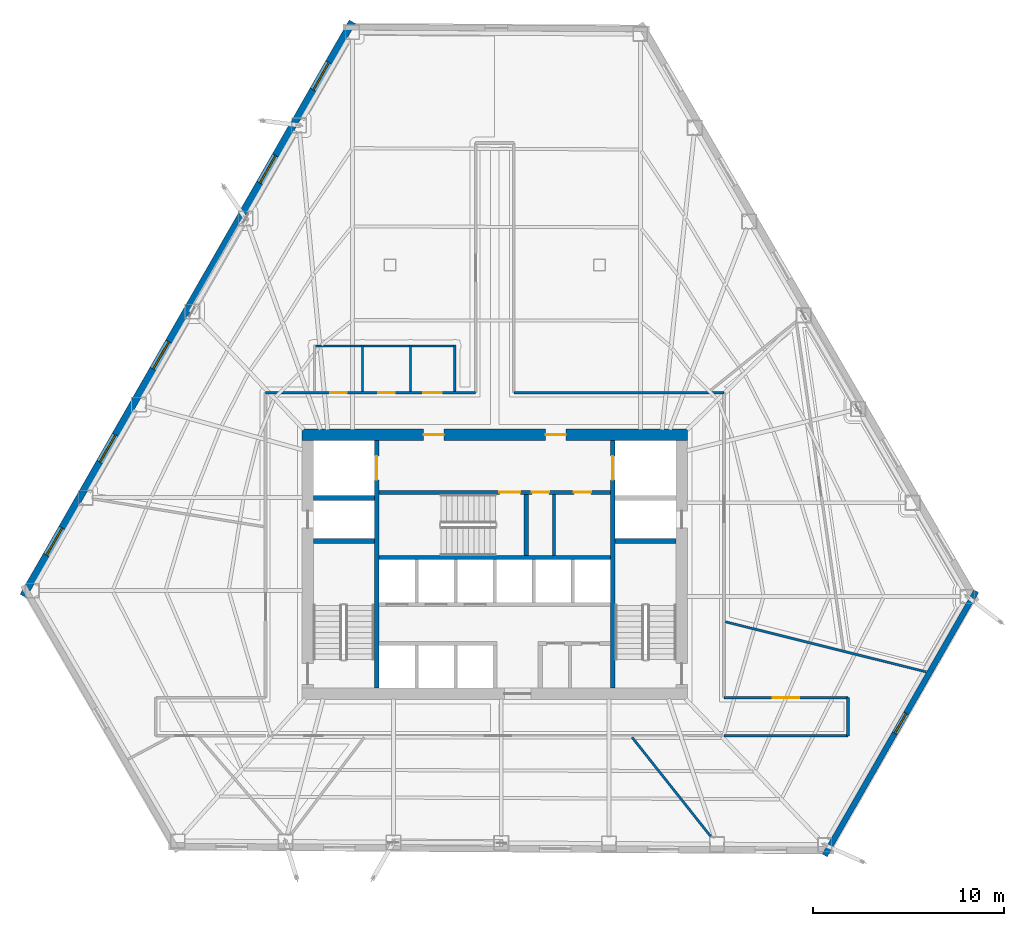
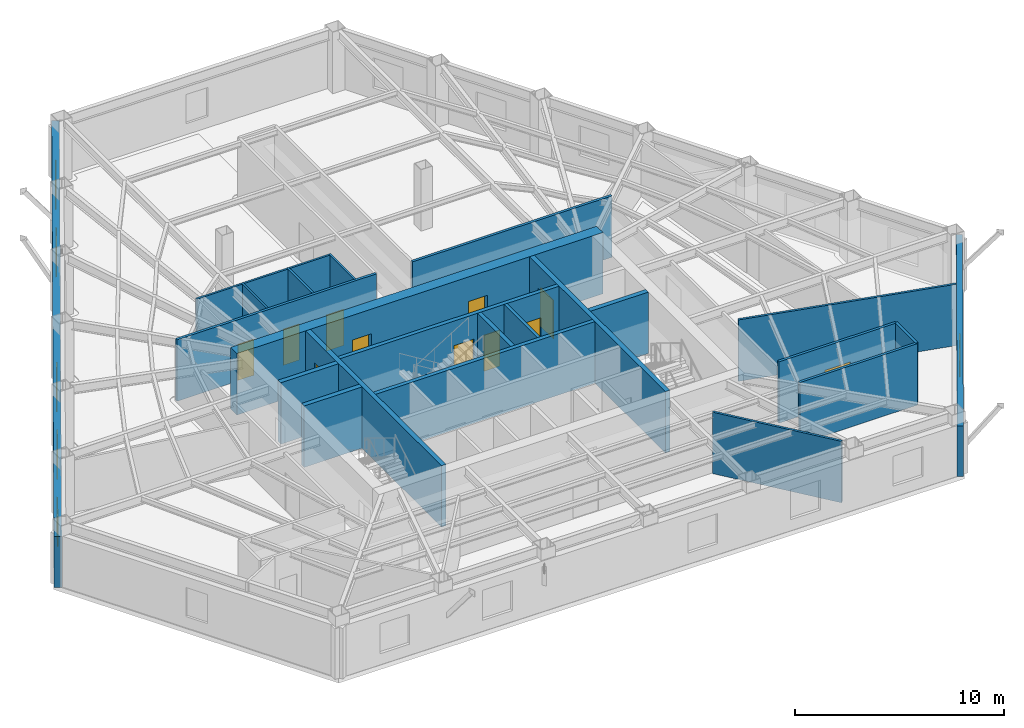
# One storey, part 8 of 12: 23 walls, 11 doors, 6 windows, 17 openings.
"""IFC4 building model written with IfcOpenShell, lengths in metres."""

from ifc_helpers import new_model, si_unit, direction, frame, frame_2d, origin, place, context, subcontext, project, spatial, rectangle, extrude, material, layer, layer_set, type_object, element, fill, save


model = new_model("IFC4")

# Units and contexts
model_context = context("Model", 3, precision=1e-05, world=origin(), true_north=direction((0.0, 1.0)))
body_context = subcontext(model_context, "Body", "Model", "MODEL_VIEW")
ifc_project = project(units=[si_unit("LENGTHUNIT", "METRE"), si_unit("AREAUNIT", "SQUARE_METRE"), si_unit("VOLUMEUNIT", "CUBIC_METRE"), si_unit("PLANEANGLEUNIT", "RADIAN"), si_unit("MASSUNIT", "GRAM", prefix="KILO")], contexts=[model_context])

# Site, building, storey
site_placement = place(None, origin())
site = spatial("IfcSite", under=ifc_project, at=site_placement, CompositionType="ELEMENT")
building_placement = place(site_placement, origin())
building = spatial("IfcBuilding", under=site, at=building_placement, Name="Kavelnor Concourse Tower", CompositionType="ELEMENT")
storey_placement = place(building_placement, frame((0.0, 0.0, 44.5)))
storey = spatial("IfcBuildingStorey", under=building, at=storey_placement, Name="L11", CompositionType="ELEMENT", Elevation=44.5)

# Wall, openings, doors
ifc_material_1 = material(Name="Concrete C60/75", Category="concrete")
ifc_layer_1 = layer(ifc_material_1, 0.60009765625, Name="Concrete C60/75")
ifc_layer_set_1 = layer_set([ifc_layer_1], Name="Concrete C60/75")
wall_type_1 = type_object("IfcWallType", Name="WL-CORE-Z1-600", PredefinedType="SOLIDWALL", material=ifc_layer_set_1)
wall_1_placement = place(storey_placement, frame((27.8798828125, 22.89990234375, 0.0), z_axis=(0.0, 0.0, 1.0), x_axis=(1.0, 0.0, 0.0)))
wall_1 = element("IfcWall", 1, at=wall_1_placement, inside=storey, type_object=wall_type_1, Name="L11 Central Core North Shear Wall", PredefinedType="SOLIDWALL", context=body_context, shape_type="SweptSolid", body=[
    extrude(rectangle(XDim=20.240234375, YDim=0.60009765625, at=frame_2d((10.1201171875, 0.0))), origin(), (0.0, 0.0, 1.0), 3.590087890625),
])
opening_1_placement = place(wall_1_placement, frame((6.39501953125, 0.0, 0.0)))
opening_1 = element("IfcOpeningElement", 2, at=opening_1_placement, cuts=wall_1, Name="Opening FD-105", PredefinedType="OPENING", context=body_context, shape_type="SweptSolid", body=[
    extrude(rectangle(XDim=1.050048828125, YDim=2.14990234375, at=frame_2d((0.52490234375, 1.074951171875))), frame((0.0, 0.31005859375, 0.0), z_axis=(0.0, -1.0, 0.0), x_axis=(1.0, 0.0, 0.0)), (0.0, 0.0, 1.0), 0.6201171875),
])
opening_2_placement = place(wall_1_placement, frame((12.794921875, 0.0, 0.0)))
opening_2 = element("IfcOpeningElement", 3, at=opening_2_placement, cuts=wall_1, Name="Opening FD-105", PredefinedType="OPENING", context=body_context, shape_type="SweptSolid", body=[
    extrude(rectangle(XDim=1.050048828125, YDim=2.14990234375, at=frame_2d((0.52490234375, 1.074951171875))), frame((0.0, 0.31005859375, 0.0), z_axis=(0.0, -1.0, 0.0), x_axis=(1.0, 0.0, 0.0)), (0.0, 0.0, 1.0), 0.6201171875),
])
ifc_material_2 = material(Name="Steel Grade 350", Category="steel")
door_type_1 = type_object("IfcDoorType", Name="DR-LOBBY-FIRE-1050", OperationType="NOTDEFINED", PredefinedType="DOOR", material=ifc_material_2)
door_1_placement = place(opening_1_placement, origin())
door_1 = element("IfcDoor", 4, at=door_1_placement, inside=storey, type_object=door_type_1, Name="L11 Emergency Lift Lobby West Door", OperationType="SINGLE_SWING_LEFT", OverallHeight=2.14990234375, OverallWidth=1.050048828125, PredefinedType="DOOR", context=body_context, shape_type="SweptSolid", body=[
    extrude(rectangle(XDim=1.050048828125, YDim=2.14990234375, at=frame_2d((0.52490234375, 1.074951171875))), frame((0.0, 0.02490234375, 0.0), z_axis=(0.0, -1.0, 0.0), x_axis=(1.0, 0.0, 0.0)), (0.0, 0.0, 1.0), 0.050048828125),
])
fill(opening_1, door_1)
door_2_placement = place(opening_2_placement, origin())
door_2 = element("IfcDoor", 5, at=door_2_placement, inside=storey, type_object=door_type_1, Name="L11 Emergency Lift Lobby East Door", OperationType="SINGLE_SWING_RIGHT", OverallHeight=2.14990234375, OverallWidth=1.050048828125, PredefinedType="DOOR", context=body_context, shape_type="SweptSolid", body=[
    extrude(rectangle(XDim=1.050048828125, YDim=2.14990234375, at=frame_2d((0.52490234375, 1.074951171875))), frame((0.0, 0.02490234375, 0.0), z_axis=(0.0, -1.0, 0.0), x_axis=(1.0, 0.0, 0.0)), (0.0, 0.0, 1.0), 0.050048828125),
])
fill(opening_2, door_2)

# Wall, opening, window
ifc_material_3 = material(Name="Buff ironspot clay face brick masonry", Category="masonry")
ifc_layer_2 = layer(ifc_material_3, 0.300048828125, Name="Buff ironspot clay face brick masonry")
ifc_layer_set_2 = layer_set([ifc_layer_2], Name="Buff ironspot clay face brick masonry")
wall_type_2 = type_object("IfcWallType", Name="WL-EXT-BUFF-BRICK-FOLD-300", PredefinedType="STANDARD", material=ifc_layer_set_2)
wall_2_placement = place(storey_placement, frame((63.260009765625, 14.689697265625, 0.0), z_axis=(0.0, 0.0, 1.0), x_axis=(-0.497393616325, -0.867524979721, 0.0)))
wall_2 = element("IfcWall", 6, at=wall_2_placement, inside=storey, type_object=wall_type_2, Name="L11 Exterior Brick Facade Wall E4", PredefinedType="STANDARD", context=body_context, shape_type="SweptSolid", body=[
    extrude(rectangle(XDim=15.982177734375, YDim=0.300048828125, at=frame_2d((7.9912109375, 0.0))), origin(), (0.0, 0.0, 1.0), 2.969970703125),
])
opening_3_placement = place(wall_2_placement, frame((7.39111328125, 0.0, 0.64990234375)))
opening_3 = element("IfcOpeningElement", 7, at=opening_3_placement, cuts=wall_2, Name="Opening W-05", PredefinedType="OPENING", context=body_context, shape_type="SweptSolid", body=[
    extrude(rectangle(XDim=1.199951171875, YDim=1.699951171875, at=frame_2d((0.60009765625, 0.85009765625))), frame((0.0, 0.16015625, 0.0), z_axis=(0.0, -1.0, 0.0), x_axis=(1.0, 0.0, 0.0)), (0.0, 0.0, 1.0), 0.320068359375),
])
ifc_material_4 = material(Name="Double low-E argon insulated glazing", Category="glass")
window_type_1 = type_object("IfcWindowType", Name="WIN-FOLD-1200", PartitioningType="SINGLE_PANEL", PredefinedType="WINDOW", material=ifc_material_4)
window_1_placement = place(opening_3_placement, origin())
window_1 = element("IfcWindow", 8, at=window_1_placement, inside=storey, type_object=window_type_1, Name="L11 Chamfer-Fold Facet Window C2", OverallHeight=1.699951171875, OverallWidth=1.199951171875, PartitioningType="SINGLE_PANEL", PredefinedType="WINDOW", context=body_context, shape_type="SweptSolid", body=[
    extrude(rectangle(XDim=1.199951171875, YDim=1.699951171875, at=frame_2d((0.60009765625, 0.85009765625))), frame((0.0, 0.030029296875, 0.0), z_axis=(0.0, -1.0, 0.0), x_axis=(1.0, 0.0, 0.0)), (0.0, 0.0, 1.0), 0.06005859375),
])
fill(opening_3, window_1)

# Wall, openings, windows
ifc_material_5 = material(Name="Red-ochre clay face brick masonry", Category="masonry")
ifc_layer_3 = layer(ifc_material_5, 0.3798828125, Name="Red-ochre clay face brick masonry")
ifc_layer_set_3 = layer_set([ifc_layer_3], Name="Red-ochre clay face brick masonry")
wall_type_3 = type_object("IfcWallType", Name="WL-EXT-RED-BRICK-PIER-380", PredefinedType="STANDARD", material=ifc_layer_set_3)
wall_3_placement = place(storey_placement, frame((13.260498046875, 14.43408203125, 0.0), z_axis=(0.0, 0.0, 1.0), x_axis=(0.497388557453, 0.867527880194, 0.0)))
wall_3 = element("IfcWall", 9, at=wall_3_placement, inside=storey, type_object=wall_type_3, Name="L11 Exterior Brick Facade Wall E1", PredefinedType="STANDARD", context=body_context, shape_type="SweptSolid", body=[
    extrude(rectangle(XDim=34.722900390625, YDim=0.3798828125, at=frame_2d((17.361328125, 0.0))), origin(), (0.0, 0.0, 1.0), 2.969970703125),
])
opening_4_placement = place(wall_3_placement, frame((30.60400390625, 0.0, 0.64990234375)))
opening_4 = element("IfcOpeningElement", 10, at=opening_4_placement, cuts=wall_3, Name="Opening W-01", PredefinedType="OPENING", context=body_context, shape_type="SweptSolid", body=[
    extrude(rectangle(XDim=1.64990234375, YDim=1.75, at=frame_2d((0.824951171875, 0.875))), frame((0.0, 0.199951171875, 0.0), z_axis=(0.0, -1.0, 0.0), x_axis=(1.0, 0.0, 0.0)), (0.0, 0.0, 1.0), 0.39990234375),
])
opening_5_placement = place(wall_3_placement, frame((24.976318359375, 0.0, 0.64990234375)))
opening_5 = element("IfcOpeningElement", 11, at=opening_5_placement, cuts=wall_3, Name="Opening W-01", PredefinedType="OPENING", context=body_context, shape_type="SweptSolid", body=[
    extrude(rectangle(XDim=1.64990234375, YDim=1.75, at=frame_2d((0.824951171875, 0.875))), frame((0.0, 0.199951171875, 0.0), z_axis=(0.0, -1.0, 0.0), x_axis=(1.0, 0.0, 0.0)), (0.0, 0.0, 1.0), 0.39990234375),
])
opening_6_placement = place(wall_3_placement, frame((13.72119140625, 0.0, 0.64990234375)))
opening_6 = element("IfcOpeningElement", 12, at=opening_6_placement, cuts=wall_3, Name="Opening W-01", PredefinedType="OPENING", context=body_context, shape_type="SweptSolid", body=[
    extrude(rectangle(XDim=1.64990234375, YDim=1.75, at=frame_2d((0.824951171875, 0.875))), frame((0.0, 0.199951171875, 0.0), z_axis=(0.0, -1.0, 0.0), x_axis=(1.0, 0.0, 0.0)), (0.0, 0.0, 1.0), 0.39990234375),
])
opening_7_placement = place(wall_3_placement, frame((8.093505859375, 0.0, 0.64990234375)))
opening_7 = element("IfcOpeningElement", 13, at=opening_7_placement, cuts=wall_3, Name="Opening W-01", PredefinedType="OPENING", context=body_context, shape_type="SweptSolid", body=[
    extrude(rectangle(XDim=1.64990234375, YDim=1.75, at=frame_2d((0.824951171875, 0.875))), frame((0.0, 0.199951171875, 0.0), z_axis=(0.0, -1.0, 0.0), x_axis=(1.0, 0.0, 0.0)), (0.0, 0.0, 1.0), 0.39990234375),
])
opening_8_placement = place(wall_3_placement, frame((2.466064453125, 0.0, 0.64990234375)))
opening_8 = element("IfcOpeningElement", 14, at=opening_8_placement, cuts=wall_3, Name="Opening W-01", PredefinedType="OPENING", context=body_context, shape_type="SweptSolid", body=[
    extrude(rectangle(XDim=1.64990234375, YDim=1.75, at=frame_2d((0.824951171875, 0.875))), frame((0.0, 0.199951171875, 0.0), z_axis=(0.0, -1.0, 0.0), x_axis=(1.0, 0.0, 0.0)), (0.0, 0.0, 1.0), 0.39990234375),
])
window_type_2 = type_object("IfcWindowType", Name="WIN-PIER-Z1-1800", PartitioningType="SINGLE_PANEL", PredefinedType="WINDOW", material=ifc_material_4)
window_2_placement = place(opening_4_placement, origin())
window_2 = element("IfcWindow", 15, at=window_2_placement, inside=storey, type_object=window_type_2, Name="L11 Deep-Set Brick Pier Window F0-B0", OverallHeight=1.75, OverallWidth=1.64990234375, PartitioningType="SINGLE_PANEL", PredefinedType="WINDOW", context=body_context, shape_type="SweptSolid", body=[
    extrude(rectangle(XDim=1.64990234375, YDim=1.75, at=frame_2d((0.824951171875, 0.875))), frame((0.0, 0.030029296875, 0.0), z_axis=(0.0, -1.0, 0.0), x_axis=(1.0, 0.0, 0.0)), (0.0, 0.0, 1.0), 0.06005859375),
])
fill(opening_4, window_2)
window_3_placement = place(opening_5_placement, origin())
window_3 = element("IfcWindow", 16, at=window_3_placement, inside=storey, type_object=window_type_2, Name="L11 Deep-Set Brick Pier Window F0-B1", OverallHeight=1.75, OverallWidth=1.64990234375, PartitioningType="SINGLE_PANEL", PredefinedType="WINDOW", context=body_context, shape_type="SweptSolid", body=[
    extrude(rectangle(XDim=1.64990234375, YDim=1.75, at=frame_2d((0.824951171875, 0.875))), frame((0.0, 0.030029296875, 0.0), z_axis=(0.0, -1.0, 0.0), x_axis=(1.0, 0.0, 0.0)), (0.0, 0.0, 1.0), 0.06005859375),
])
fill(opening_5, window_3)
window_4_placement = place(opening_6_placement, origin())
window_4 = element("IfcWindow", 17, at=window_4_placement, inside=storey, type_object=window_type_2, Name="L11 Deep-Set Brick Pier Window F0-B3", OverallHeight=1.75, OverallWidth=1.64990234375, PartitioningType="SINGLE_PANEL", PredefinedType="WINDOW", context=body_context, shape_type="SweptSolid", body=[
    extrude(rectangle(XDim=1.64990234375, YDim=1.75, at=frame_2d((0.824951171875, 0.875))), frame((0.0, 0.030029296875, 0.0), z_axis=(0.0, -1.0, 0.0), x_axis=(1.0, 0.0, 0.0)), (0.0, 0.0, 1.0), 0.06005859375),
])
fill(opening_6, window_4)
window_5_placement = place(opening_7_placement, origin())
window_5 = element("IfcWindow", 18, at=window_5_placement, inside=storey, type_object=window_type_2, Name="L11 Deep-Set Brick Pier Window F0-B4", OverallHeight=1.75, OverallWidth=1.64990234375, PartitioningType="SINGLE_PANEL", PredefinedType="WINDOW", context=body_context, shape_type="SweptSolid", body=[
    extrude(rectangle(XDim=1.64990234375, YDim=1.75, at=frame_2d((0.824951171875, 0.875))), frame((0.0, 0.030029296875, 0.0), z_axis=(0.0, -1.0, 0.0), x_axis=(1.0, 0.0, 0.0)), (0.0, 0.0, 1.0), 0.06005859375),
])
fill(opening_7, window_5)
window_6_placement = place(opening_8_placement, origin())
window_6 = element("IfcWindow", 19, at=window_6_placement, inside=storey, type_object=window_type_2, Name="L11 Deep-Set Brick Pier Window F0-B5", OverallHeight=1.75, OverallWidth=1.64990234375, PartitioningType="SINGLE_PANEL", PredefinedType="WINDOW", context=body_context, shape_type="SweptSolid", body=[
    extrude(rectangle(XDim=1.64990234375, YDim=1.75, at=frame_2d((0.824951171875, 0.875))), frame((0.0, 0.030029296875, 0.0), z_axis=(0.0, -1.0, 0.0), x_axis=(1.0, 0.0, 0.0)), (0.0, 0.0, 1.0), 0.06005859375),
])
fill(opening_8, window_6)

# Wall, openings, doors
ifc_material_6 = material(Name="Gypsum plasterboard on light-gauge steel studs", Category="steel")
ifc_layer_4 = layer(ifc_material_6, 0.14501953125, Name="Gypsum plasterboard on light-gauge steel studs")
ifc_layer_set_4 = layer_set([ifc_layer_4], Name="Gypsum plasterboard on light-gauge steel studs")
wall_type_4 = type_object("IfcWallType", Name="WL-INT-CORR-145", PredefinedType="PARTITIONING", material=ifc_layer_set_4)
wall_4_placement = place(storey_placement, frame((25.97998046875, 25.10009765625, 0.0), z_axis=(0.0, 0.0, 1.0), x_axis=(1.0, 0.0, 0.0)))
wall_4 = element("IfcWall", 20, at=wall_4_placement, inside=storey, type_object=wall_type_4, Name="L11 Corridor Wall WL-L11-CR-03", PredefinedType="PARTITIONING", context=body_context, shape_type="SweptSolid", body=[
    extrude(rectangle(XDim=11.02001953125, YDim=0.14501953125, at=frame_2d((5.510009765625, 0.0))), origin(), (0.0, 0.0, 1.0), 3.590087890625),
])
opening_9_placement = place(wall_4_placement, frame((3.3798828125, 0.0, 0.0)))
opening_9 = element("IfcOpeningElement", 21, at=opening_9_placement, cuts=wall_4, Name="Opening WD-088", PredefinedType="OPENING", context=body_context, shape_type="SweptSolid", body=[
    extrude(rectangle(XDim=0.8798828125, YDim=2.10009765625, at=frame_2d((0.43994140625, 1.050048828125))), frame((0.0, 0.08251953125, 0.0), z_axis=(0.0, -1.0, 0.0), x_axis=(1.0, 0.0, 0.0)), (0.0, 0.0, 1.0), 0.1650390625),
])
opening_10_placement = place(wall_4_placement, frame((5.89990234375, 0.0, 0.0)))
opening_10 = element("IfcOpeningElement", 22, at=opening_10_placement, cuts=wall_4, Name="Opening WD-088", PredefinedType="OPENING", context=body_context, shape_type="SweptSolid", body=[
    extrude(rectangle(XDim=0.8798828125, YDim=2.10009765625, at=frame_2d((0.43994140625, 1.050048828125))), frame((0.0, 0.08251953125, 0.0), z_axis=(0.0, -1.0, 0.0), x_axis=(1.0, 0.0, 0.0)), (0.0, 0.0, 1.0), 0.1650390625),
])
opening_11_placement = place(wall_4_placement, frame((8.280029296875, 0.0, 0.0)))
opening_11 = element("IfcOpeningElement", 23, at=opening_11_placement, cuts=wall_4, Name="Opening WD-096", PredefinedType="OPENING", context=body_context, shape_type="SweptSolid", body=[
    extrude(rectangle(XDim=0.9599609375, YDim=2.10009765625, at=frame_2d((0.47998046875, 1.050048828125))), frame((0.0, 0.08251953125, 0.0), z_axis=(0.0, -1.0, 0.0), x_axis=(1.0, 0.0, 0.0)), (0.0, 0.0, 1.0), 0.1650390625),
])
ifc_material_7 = material(Name="Solid-core hardwood timber", Category="wood")
door_type_2 = type_object("IfcDoorType", Name="DR-WC-ACC-960", OperationType="NOTDEFINED", PredefinedType="DOOR", material=ifc_material_7)
door_3_placement = place(opening_11_placement, origin())
door_3 = element("IfcDoor", 24, at=door_3_placement, inside=storey, type_object=door_type_2, Name="L11 Accessible WC Door", OperationType="SINGLE_SWING_RIGHT", OverallHeight=2.10009765625, OverallWidth=0.9599609375, PredefinedType="DOOR", context=body_context, shape_type="SweptSolid", body=[
    extrude(rectangle(XDim=0.9599609375, YDim=2.10009765625, at=frame_2d((0.47998046875, 1.050048828125))), frame((0.0, 0.02490234375, 0.0), z_axis=(0.0, -1.0, 0.0), x_axis=(1.0, 0.0, 0.0)), (0.0, 0.0, 1.0), 0.050048828125),
])
fill(opening_11, door_3)
door_type_3 = type_object("IfcDoorType", Name="DR-WC-STD-880", OperationType="NOTDEFINED", PredefinedType="DOOR", material=ifc_material_7)
door_4_placement = place(opening_9_placement, origin())
door_4 = element("IfcDoor", 25, at=door_4_placement, inside=storey, type_object=door_type_3, Name="L11 Male WC Door", OperationType="SINGLE_SWING_RIGHT", OverallHeight=2.10009765625, OverallWidth=0.8798828125, PredefinedType="DOOR", context=body_context, shape_type="SweptSolid", body=[
    extrude(rectangle(XDim=0.8798828125, YDim=2.10009765625, at=frame_2d((0.43994140625, 1.050048828125))), frame((0.0, 0.02490234375, 0.0), z_axis=(0.0, -1.0, 0.0), x_axis=(1.0, 0.0, 0.0)), (0.0, 0.0, 1.0), 0.050048828125),
])
fill(opening_9, door_4)
door_5_placement = place(opening_10_placement, origin())
door_5 = element("IfcDoor", 26, at=door_5_placement, inside=storey, type_object=door_type_3, Name="L11 Female WC Door", OperationType="SINGLE_SWING_LEFT", OverallHeight=2.10009765625, OverallWidth=0.8798828125, PredefinedType="DOOR", context=body_context, shape_type="SweptSolid", body=[
    extrude(rectangle(XDim=0.8798828125, YDim=2.10009765625, at=frame_2d((0.43994140625, 1.050048828125))), frame((0.0, 0.02490234375, 0.0), z_axis=(0.0, -1.0, 0.0), x_axis=(1.0, 0.0, 0.0)), (0.0, 0.0, 1.0), 0.050048828125),
])
fill(opening_10, door_5)

# Wall
wall_5_placement = place(storey_placement, frame((39.0, 25.10009765625, 0.0), z_axis=(0.0, 0.0, 1.0), x_axis=(1.0, 0.0, 0.0)))
element("IfcWall", 27, at=wall_5_placement, inside=storey, type_object=wall_type_4, Name="L11 Corridor Wall WL-L11-CR-07", PredefinedType="PARTITIONING", context=body_context, shape_type="SweptSolid", body=[
    extrude(rectangle(XDim=11.02001953125, YDim=0.14501953125, at=frame_2d((5.510009765625, 0.0))), origin(), (0.0, 0.0, 1.0), 3.590087890625),
])

# Wall, opening, door
wall_6_placement = place(storey_placement, frame((50.02001953125, 9.10009765625, 0.0), z_axis=(0.0, 0.0, 1.0), x_axis=(1.0, 0.0, 0.0)))
wall_6 = element("IfcWall", 28, at=wall_6_placement, inside=storey, type_object=wall_type_4, Name="L11 Corridor Wall WL-L11-CR-09", PredefinedType="PARTITIONING", context=body_context, shape_type="SweptSolid", body=[
    extrude(rectangle(XDim=6.508056640625, YDim=0.14501953125, at=frame_2d((3.25390625, 0.0))), origin(), (0.0, 0.0, 1.0), 3.590087890625),
])
opening_12_placement = place(wall_6_placement, frame((2.553955078125, 0.0, 0.0)))
opening_12 = element("IfcOpeningElement", 29, at=opening_12_placement, cuts=wall_6, Name="Opening SD-140", PredefinedType="OPENING", context=body_context, shape_type="SweptSolid", body=[
    extrude(rectangle(XDim=1.39990234375, YDim=2.199951171875, at=frame_2d((0.699951171875, 1.10009765625))), frame((0.0, 0.08251953125, 0.0), z_axis=(0.0, -1.0, 0.0), x_axis=(1.0, 0.0, 0.0)), (0.0, 0.0, 1.0), 0.1650390625),
])
door_type_4 = type_object("IfcDoorType", Name="DR-SUITE-ENTRY-1400", OperationType="NOTDEFINED", PredefinedType="DOOR", material=ifc_material_7)
door_6_placement = place(opening_12_placement, origin())
door_6 = element("IfcDoor", 30, at=door_6_placement, inside=storey, type_object=door_type_4, Name="L11 Technical Reference Library 08 Door", OperationType="SINGLE_SWING_RIGHT", OverallHeight=2.199951171875, OverallWidth=1.39990234375, PredefinedType="DOOR", context=body_context, shape_type="SweptSolid", body=[
    extrude(rectangle(XDim=1.39990234375, YDim=2.199951171875, at=frame_2d((0.699951171875, 1.10009765625))), frame((0.0, 0.02490234375, 0.0), z_axis=(0.0, -1.0, 0.0), x_axis=(1.0, 0.0, 0.0)), (0.0, 0.0, 1.0), 0.050048828125),
])
fill(opening_12, door_6)

# Walls
wall_7_placement = place(storey_placement, frame((56.528076171875, 9.10009765625, 0.0), z_axis=(0.0, 0.0, 1.0), x_axis=(0.0, -1.0, 0.0)))
element("IfcWall", 31, at=wall_7_placement, inside=storey, type_object=wall_type_4, Name="L11 Corridor Wall WL-L11-CR-10", PredefinedType="PARTITIONING", context=body_context, shape_type="SweptSolid", body=[
    extrude(rectangle(XDim=2.0, YDim=0.14501953125, at=frame_2d((1.0, 0.0))), origin(), (0.0, 0.0, 1.0), 3.590087890625),
])
wall_8_placement = place(storey_placement, frame((56.528076171875, 7.10009765625, 0.0), z_axis=(0.0, 0.0, 1.0), x_axis=(-1.0, 0.0, 0.0)))
element("IfcWall", 32, at=wall_8_placement, inside=storey, type_object=wall_type_4, Name="L11 Corridor Wall WL-L11-CR-11", PredefinedType="PARTITIONING", context=body_context, shape_type="SweptSolid", body=[
    extrude(rectangle(XDim=6.508056640625, YDim=0.14501953125, at=frame_2d((3.25390625, 0.0))), origin(), (0.0, 0.0, 1.0), 3.590087890625),
])
ifc_layer_5 = layer(ifc_material_6, 0.1650390625, Name="Gypsum plasterboard on light-gauge steel studs")
ifc_layer_set_5 = layer_set([ifc_layer_5], Name="Gypsum plasterboard on light-gauge steel studs")
wall_type_5 = type_object("IfcWallType", Name="WL-INT-FIRE-165", PredefinedType="PARTITIONING", material=ifc_layer_set_5)
wall_9_placement = place(storey_placement, frame((41.10009765625, 16.56005859375, 0.0), z_axis=(0.0, 0.0, 1.0), x_axis=(0.0, 1.0, 0.0)))
element("IfcWall", 33, at=wall_9_placement, inside=storey, type_object=wall_type_5, Name="L11 Core Support West Divider", PredefinedType="PARTITIONING", context=body_context, shape_type="SweptSolid", body=[
    extrude(rectangle(XDim=3.199951171875, YDim=0.1650390625, at=frame_2d((1.60009765625, 0.0))), origin(), (0.0, 0.0, 1.0), 3.590087890625),
])
ifc_layer_6 = layer(ifc_material_6, 0.125, Name="Gypsum plasterboard on light-gauge steel studs")
ifc_layer_set_6 = layer_set([ifc_layer_6], Name="Gypsum plasterboard on light-gauge steel studs")
wall_type_6 = type_object("IfcWallType", Name="WL-INT-SUITE-125", PredefinedType="PARTITIONING", material=ifc_layer_set_6)
wall_10_placement = place(storey_placement, frame((45.20556640625, 7.01953125, 0.0), z_axis=(0.0, 0.0, 1.0), x_axis=(0.621587684136, -0.783344592712, 0.0)))
element("IfcWall", 34, at=wall_10_placement, inside=storey, type_object=wall_type_6, Name="L11 Radial Suite Partition 05", PredefinedType="PARTITIONING", context=body_context, shape_type="SweptSolid", body=[
    extrude(rectangle(XDim=6.640869140625, YDim=0.125, at=frame_2d((3.3203125, 0.0))), origin(), (0.0, 0.0, 1.0), 3.590087890625),
])
wall_11_placement = place(storey_placement, frame((50.1005859375, 13.0830078125, 0.0), z_axis=(0.0, 0.0, 1.0), x_axis=(0.970294476974, -0.241926906221, 0.0)))
element("IfcWall", 35, at=wall_11_placement, inside=storey, type_object=wall_type_6, Name="L11 Radial Suite Partition 06", PredefinedType="PARTITIONING", context=body_context, shape_type="SweptSolid", body=[
    extrude(rectangle(XDim=10.853515625, YDim=0.125, at=frame_2d((5.4267578125, 0.0))), origin(), (0.0, 0.0, 1.0), 3.590087890625),
])
ifc_layer_7 = layer(ifc_material_6, 0.110107421875, Name="Gypsum plasterboard on light-gauge steel studs")
ifc_layer_set_7 = layer_set([ifc_layer_7], Name="Gypsum plasterboard on light-gauge steel studs")
wall_type_7 = type_object("IfcWallType", Name="WL-INT-WC-110", PredefinedType="PLUMBINGWALL", material=ifc_layer_set_7)
for number, where, z_axis, x_axis, name in (
    (36, (31.06005859375, 25.169921875, 0.0), (0.0, 0.0, 1.0), (0.0, 1.0, 0.0), "L11 Sanitary Partition WL-L11-WC-D1"),
    (37, (33.580078125, 25.169921875, 0.0), (0.0, 0.0, 1.0), (0.0, 1.0, 0.0), "L11 Sanitary Partition WL-L11-WC-D2"),
    (38, (35.89990234375, 25.169921875, 0.0), (0.0, 0.0, 1.0), (0.0, 1.0, 0.0), "L11 Sanitary Partition WL-L11-WC-E"),
):
    element("IfcWall", number, at=place(storey_placement, frame(where, z_axis=z_axis, x_axis=x_axis)), inside=storey, type_object=wall_type_7, Name=name, PredefinedType="PLUMBINGWALL", context=body_context, shape_type="SweptSolid", body=[
        extrude(rectangle(XDim=2.440185546875, YDim=0.110107421875, at=frame_2d((1.22021484375, 0.0))), origin(), (0.0, 0.0, 1.0), 3.590087890625),
    ])
wall_12_placement = place(storey_placement, frame((28.489990234375, 27.550048828125, 0.0), z_axis=(0.0, 0.0, 1.0), x_axis=(1.0, 0.0, 0.0)))
element("IfcWall", 39, at=wall_12_placement, inside=storey, type_object=wall_type_7, Name="L11 Sanitary Partition WL-L11-WC-N", PredefinedType="PLUMBINGWALL", context=body_context, shape_type="SweptSolid", body=[
    extrude(rectangle(XDim=7.4599609375, YDim=0.110107421875, at=frame_2d((3.72998046875, 0.0))), origin(), (0.0, 0.0, 1.0), 3.590087890625),
])

# Wall, openings, doors
ifc_material_8 = material(Name="Concrete C50/60", Category="concrete")
ifc_layer_8 = layer(ifc_material_8, 0.219970703125, Name="Concrete C50/60")
ifc_layer_set_8 = layer_set([ifc_layer_8], Name="Concrete C50/60")
wall_type_8 = type_object("IfcWallType", Name="WL-SHAFT-220", PredefinedType="SOLIDWALL", material=ifc_layer_set_8)
wall_13_placement = place(storey_placement, frame((31.93994140625, 19.8701171875, 0.0), z_axis=(0.0, 0.0, 1.0), x_axis=(1.0, 0.0, 0.0)))
wall_13 = element("IfcWall", 40, at=wall_13_placement, inside=storey, type_object=wall_type_8, Name="L11 Emergency Lift Lobby South Wall", PredefinedType="SOLIDWALL", context=body_context, shape_type="SweptSolid", body=[
    extrude(rectangle(XDim=12.1201171875, YDim=0.219970703125, at=frame_2d((6.06005859375, 0.0))), origin(), (0.0, 0.0, 1.0), 3.590087890625),
])
opening_13_placement = place(wall_13_placement, frame((6.300048828125, 0.0, 0.0)))
opening_13 = element("IfcOpeningElement", 41, at=opening_13_placement, cuts=wall_13, Name="Opening FD-110", PredefinedType="OPENING", context=body_context, shape_type="SweptSolid", body=[
    extrude(rectangle(XDim=1.10009765625, YDim=2.14990234375, at=frame_2d((0.550048828125, 1.074951171875))), frame((0.0, 0.1201171875, 0.0), z_axis=(0.0, -1.0, 0.0), x_axis=(1.0, 0.0, 0.0)), (0.0, 0.0, 1.0), 0.239990234375),
])
opening_14_placement = place(wall_13_placement, frame((8.010009765625, 0.0, 0.0)))
opening_14 = element("IfcOpeningElement", 42, at=opening_14_placement, cuts=wall_13, Name="Opening FD-090", PredefinedType="OPENING", context=body_context, shape_type="SweptSolid", body=[
    extrude(rectangle(XDim=0.89990234375, YDim=2.10009765625, at=frame_2d((0.449951171875, 1.050048828125))), frame((0.0, 0.1201171875, 0.0), z_axis=(0.0, -1.0, 0.0), x_axis=(1.0, 0.0, 0.0)), (0.0, 0.0, 1.0), 0.239990234375),
])
opening_15_placement = place(wall_13_placement, frame((10.2099609375, 0.0, 0.0)))
opening_15 = element("IfcOpeningElement", 43, at=opening_15_placement, cuts=wall_13, Name="Opening FD-090", PredefinedType="OPENING", context=body_context, shape_type="SweptSolid", body=[
    extrude(rectangle(XDim=0.89990234375, YDim=2.10009765625, at=frame_2d((0.449951171875, 1.050048828125))), frame((0.0, 0.1201171875, 0.0), z_axis=(0.0, -1.0, 0.0), x_axis=(1.0, 0.0, 0.0)), (0.0, 0.0, 1.0), 0.239990234375),
])
door_type_5 = type_object("IfcDoorType", Name="DR-RISER-FIRE-900", OperationType="NOTDEFINED", PredefinedType="DOOR", material=ifc_material_2)
door_7_placement = place(opening_14_placement, origin())
door_7 = element("IfcDoor", 44, at=door_7_placement, inside=storey, type_object=door_type_5, Name="L11 Cleaner Door", OperationType="SINGLE_SWING_RIGHT", OverallHeight=2.10009765625, OverallWidth=0.89990234375, PredefinedType="DOOR", context=body_context, shape_type="SweptSolid", body=[
    extrude(rectangle(XDim=0.89990234375, YDim=2.10009765625, at=frame_2d((0.449951171875, 1.050048828125))), frame((0.0, 0.02490234375, 0.0), z_axis=(0.0, -1.0, 0.0), x_axis=(1.0, 0.0, 0.0)), (0.0, 0.0, 1.0), 0.050048828125),
])
fill(opening_14, door_7)
door_8_placement = place(opening_15_placement, origin())
door_8 = element("IfcDoor", 45, at=door_8_placement, inside=storey, type_object=door_type_5, Name="L11 UPS Room Door", OperationType="SINGLE_SWING_LEFT", OverallHeight=2.10009765625, OverallWidth=0.89990234375, PredefinedType="DOOR", context=body_context, shape_type="SweptSolid", body=[
    extrude(rectangle(XDim=0.89990234375, YDim=2.10009765625, at=frame_2d((0.449951171875, 1.050048828125))), frame((0.0, 0.02490234375, 0.0), z_axis=(0.0, -1.0, 0.0), x_axis=(1.0, 0.0, 0.0)), (0.0, 0.0, 1.0), 0.050048828125),
])
fill(opening_15, door_8)
door_type_6 = type_object("IfcDoorType", Name="DR-STAIR-FIRE-1100", OperationType="NOTDEFINED", PredefinedType="DOOR", material=ifc_material_2)
door_9_placement = place(opening_13_placement, origin())
door_9 = element("IfcDoor", 46, at=door_9_placement, inside=storey, type_object=door_type_6, Name="L11 Stair ST3 Fire Door", OperationType="SINGLE_SWING_LEFT", OverallHeight=2.14990234375, OverallWidth=1.10009765625, PredefinedType="DOOR", context=body_context, shape_type="SweptSolid", body=[
    extrude(rectangle(XDim=1.10009765625, YDim=2.14990234375, at=frame_2d((0.550048828125, 1.074951171875))), frame((0.0, 0.02490234375, 0.0), z_axis=(0.0, -1.0, 0.0), x_axis=(1.0, 0.0, 0.0)), (0.0, 0.0, 1.0), 0.050048828125),
])
fill(opening_13, door_9)

# Walls
wall_14_placement = place(storey_placement, frame((31.93994140625, 16.449951171875, 0.0), z_axis=(0.0, 0.0, 1.0), x_axis=(1.0, 0.0, 0.0)))
element("IfcWall", 47, at=wall_14_placement, inside=storey, type_object=wall_type_8, Name="L11 Stair ST3 South Core Wall", PredefinedType="SOLIDWALL", context=body_context, shape_type="SweptSolid", body=[
    extrude(rectangle(XDim=12.1201171875, YDim=0.219970703125, at=frame_2d((6.06005859375, 0.0))), origin(), (0.0, 0.0, 1.0), 3.590087890625),
])
wall_15_placement = place(storey_placement, frame((39.64990234375, 16.56005859375, 0.0), z_axis=(0.0, 0.0, 1.0), x_axis=(0.0, 1.0, 0.0)))
element("IfcWall", 48, at=wall_15_placement, inside=storey, type_object=wall_type_8, Name="L11 Stair ST3 East Core Wall", PredefinedType="SOLIDWALL", context=body_context, shape_type="SweptSolid", body=[
    extrude(rectangle(XDim=3.199951171875, YDim=0.219970703125, at=frame_2d((1.60009765625, 0.0))), origin(), (0.0, 0.0, 1.0), 3.590087890625),
])

# Wall, opening, door
ifc_layer_9 = layer(ifc_material_8, 0.260009765625, Name="Concrete C50/60")
ifc_layer_set_9 = layer_set([ifc_layer_9], Name="Concrete C50/60")
wall_type_9 = type_object("IfcWallType", Name="WL-SHAFT-260", PredefinedType="SHEAR", material=ifc_layer_set_9)
wall_16_placement = place(storey_placement, frame((31.81005859375, 9.60009765625, 0.0), z_axis=(0.0, 0.0, 1.0), x_axis=(0.0, 1.0, 0.0)))
wall_16 = element("IfcWall", 49, at=wall_16_placement, inside=storey, type_object=wall_type_9, Name="L11 Core West Wing Shear Wall", PredefinedType="SHEAR", context=body_context, shape_type="SweptSolid", body=[
    extrude(rectangle(XDim=13.0, YDim=0.260009765625, at=frame_2d((6.5, 0.0))), origin(), (0.0, 0.0, 1.0), 3.590087890625),
])
opening_16_placement = place(wall_16_placement, frame((10.925048828125, 0.0, 0.0)))
opening_16 = element("IfcOpeningElement", 50, at=opening_16_placement, cuts=wall_16, Name="Opening LD-125", PredefinedType="OPENING", context=body_context, shape_type="SweptSolid", body=[
    extrude(rectangle(XDim=1.25, YDim=2.25, at=frame_2d((0.625, 1.125))), frame((0.0, 0.14013671875, 0.0), z_axis=(0.0, -1.0, 0.0), x_axis=(1.0, 0.0, 0.0)), (0.0, 0.0, 1.0), 0.280029296875),
])
door_type_7 = type_object("IfcDoorType", Name="DR-LIFT-SLIDING-1250", OperationType="NOTDEFINED", PredefinedType="DOOR", material=ifc_material_2)
door_10_placement = place(opening_16_placement, origin())
door_10 = element("IfcDoor", 51, at=door_10_placement, inside=storey, type_object=door_type_7, Name="L11 Emergency Lift FL1 Landing Door", OperationType="DOUBLE_DOOR_SLIDING", OverallHeight=2.25, OverallWidth=1.25, PredefinedType="DOOR", context=body_context, shape_type="SweptSolid", body=[
    extrude(rectangle(XDim=1.25, YDim=2.25, at=frame_2d((0.625, 1.125))), frame((0.0, 0.02490234375, 0.0), z_axis=(0.0, -1.0, 0.0), x_axis=(1.0, 0.0, 0.0)), (0.0, 0.0, 1.0), 0.050048828125),
])
fill(opening_16, door_10)

wall_17_placement = place(storey_placement, frame((44.18994140625, 9.60009765625, 0.0), z_axis=(0.0, 0.0, 1.0), x_axis=(0.0, 1.0, 0.0)))
wall_17 = element("IfcWall", 52, at=wall_17_placement, inside=storey, type_object=wall_type_9, Name="L11 Core East Wing Shear Wall", PredefinedType="SHEAR", context=body_context, shape_type="SweptSolid", body=[
    extrude(rectangle(XDim=13.0, YDim=0.260009765625, at=frame_2d((6.5, 0.0))), origin(), (0.0, 0.0, 1.0), 3.590087890625),
])
opening_17_placement = place(wall_17_placement, frame((10.925048828125, 0.0, 0.0)))
opening_17 = element("IfcOpeningElement", 53, at=opening_17_placement, cuts=wall_17, Name="Opening LD-125", PredefinedType="OPENING", context=body_context, shape_type="SweptSolid", body=[
    extrude(rectangle(XDim=1.25, YDim=2.25, at=frame_2d((0.625, 1.125))), frame((0.0, 0.14013671875, 0.0), z_axis=(0.0, -1.0, 0.0), x_axis=(1.0, 0.0, 0.0)), (0.0, 0.0, 1.0), 0.280029296875),
])
door_11_placement = place(opening_17_placement, origin())
door_11 = element("IfcDoor", 54, at=door_11_placement, inside=storey, type_object=door_type_7, Name="L11 Emergency Lift FL2 Landing Door", OperationType="DOUBLE_DOOR_SLIDING", OverallHeight=2.25, OverallWidth=1.25, PredefinedType="DOOR", context=body_context, shape_type="SweptSolid", body=[
    extrude(rectangle(XDim=1.25, YDim=2.25, at=frame_2d((0.625, 1.125))), frame((0.0, 0.02490234375, 0.0), z_axis=(0.0, -1.0, 0.0), x_axis=(1.0, 0.0, 0.0)), (0.0, 0.0, 1.0), 0.050048828125),
])
fill(opening_17, door_11)

# Walls
for number, where, z_axis, x_axis, name in (
    (55, (28.47998046875, 17.330078125, 0.0), (0.0, 0.0, 1.0), (1.0, 0.0, 0.0), "L11 Stair ST1 North Shaft Wall"),
    (56, (28.47998046875, 19.570068359375, 0.0), (0.0, 0.0, 1.0), (1.0, 0.0, 0.0), "L11 Emergency Lift FL1 South Shaft Wall"),
    (57, (44.320068359375, 17.330078125, 0.0), (0.0, 0.0, 1.0), (1.0, 0.0, 0.0), "L11 Stair ST2 North Shaft Wall"),
):
    element("IfcWall", number, at=place(storey_placement, frame(where, z_axis=z_axis, x_axis=x_axis)), inside=storey, type_object=wall_type_9, Name=name, PredefinedType="SHEAR", context=body_context, shape_type="SweptSolid", body=[
        extrude(rectangle(XDim=3.199951171875, YDim=0.260009765625, at=frame_2d((1.60009765625, 0.0))), origin(), (0.0, 0.0, 1.0), 3.590087890625),
    ])

save(model, "model.ifc")
